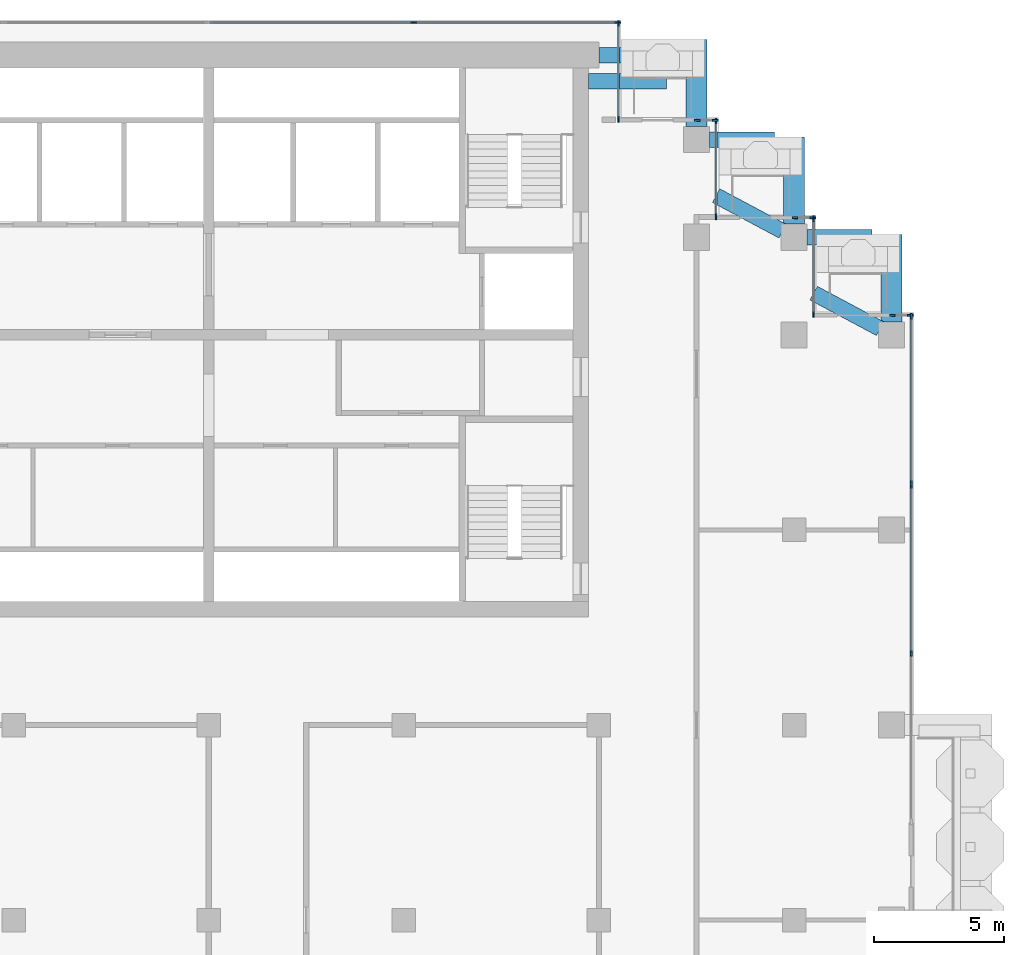
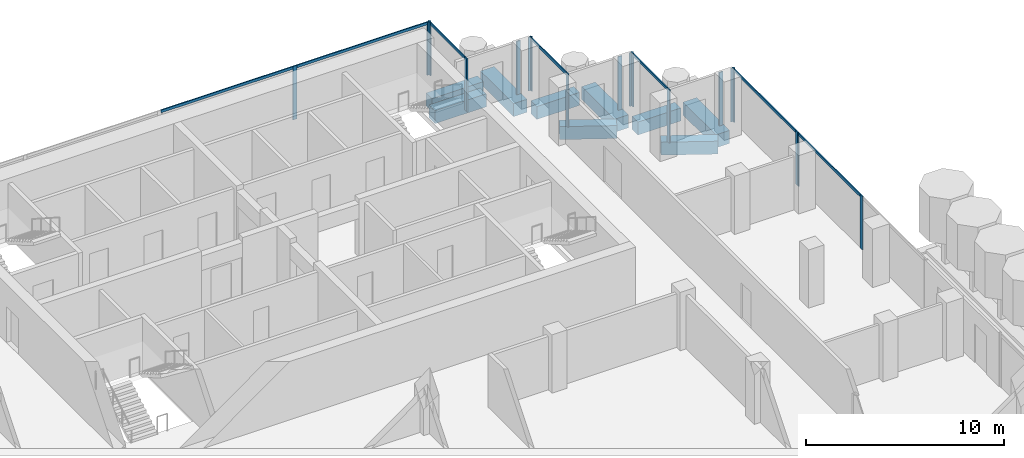
# One storey, part 6 of 17: 25 members, 9 beams, 9 elements without a shape of their own.
"""IFC4 building model written with IfcOpenShell, lengths in metres."""

from ifc_helpers import new_model, si_unit, direction, frame, origin, origin_2d, place, context, subcontext, project, spatial, rectangle, extrude, material, material_profile, profile_set, type_object, element, aggregate, save


model = new_model("IFC4")

# Units and contexts
model_context = context("Model", 3, precision=1e-05, world=origin(), true_north=direction((0.0, 1.0)))
body_context = subcontext(model_context, "Body", "Model", "MODEL_VIEW")
ifc_project = project(units=[si_unit("LENGTHUNIT", "METRE"), si_unit("AREAUNIT", "SQUARE_METRE"), si_unit("VOLUMEUNIT", "CUBIC_METRE"), si_unit("PLANEANGLEUNIT", "RADIAN"), si_unit("MASSUNIT", "GRAM", prefix="KILO")], contexts=[model_context])

# Site, building, storey
site_placement = place(None, origin())
site = spatial("IfcSite", under=ifc_project, at=site_placement, CompositionType="ELEMENT")
building_placement = place(site_placement, origin())
building = spatial("IfcBuilding", under=site, at=building_placement, Name="Pilkhan Gate Tower", CompositionType="ELEMENT")
storey_placement = place(building_placement, frame((0.0, 0.0, 206.699951171875)))
storey = spatial("IfcBuildingStorey", under=building, at=storey_placement, Name="L53", CompositionType="ELEMENT", Elevation=206.699951171875)

# Beams
ifc_material_1 = material(Name="Concrete C50/60", Category="concrete")
ifc_material_profile_1 = material_profile(ifc_material_1, rectangle(XDim=0.60009765625, YDim=0.800048828125, at=origin_2d()), Name="RC 600x800")
ifc_profile_set_1 = profile_set([ifc_material_profile_1], Name="Concrete C50/60")
beam_type_1 = type_object("IfcBeamType", Name="Cantilever beam CB1 RC 600x800 C50/60", PredefinedType="BEAM", material=ifc_profile_set_1)
for number, where, z_axis, x_axis, name in (
    (1, (90.0, 93.25, -0.699951171875), (1.0, 0.0, 0.0), (0.0, 1.0, 0.0), "Balcony beam NE.2 L53"),
    (2, (89.60009765625, 92.25, -0.699951171875), (1.0, 0.0, 0.0), (0.0, 1.0, 0.0), "Balcony beam NE.3 L53"),
):
    element("IfcBeam", number, at=place(storey_placement, frame(where, z_axis=z_axis, x_axis=x_axis)), inside=storey, type_object=beam_type_1, Name=name, PredefinedType="BEAM", context=body_context, shape_type="SweptSolid", body=[
        extrude(rectangle(XDim=0.60009765625, YDim=0.800048828125, at=origin_2d()), origin(), (0.0, 0.0, 1.0), 3.0),
    ])
beam_1_placement = place(storey_placement, frame((94.25, 90.0, -0.699951171875), z_axis=(1.0, 0.0, 0.0), x_axis=(0.0, 1.0, 0.0)))
element("IfcBeam", 3, at=beam_1_placement, inside=storey, type_object=beam_type_1, Name="Balcony beam NE1.2 L53", PredefinedType="BEAM", context=body_context, shape_type="SweptSolid", body=[
    extrude(rectangle(XDim=0.60009765625, YDim=0.800048828125, at=origin_2d()), origin(), (0.0, 0.0, 1.0), 2.5),
])
beam_2_placement = place(storey_placement, frame((97.058837890625, 86.4853515625, -0.699951171875), z_axis=(-0.882348280344, 0.470596974251, 0.0), x_axis=(-0.470596974251, -0.882348280344, 0.0)))
element("IfcBeam", 4, at=beam_2_placement, inside=storey, type_object=beam_type_1, Name="Balcony beam NE1.3 L53", PredefinedType="BEAM", context=body_context, shape_type="SweptSolid", body=[
    extrude(rectangle(XDim=0.60009765625, YDim=0.800048828125, at=origin_2d()), origin(), (0.0, 0.0, 1.0), 2.900146484375),
])
beam_3_placement = place(storey_placement, frame((98.0, 86.25, -0.699951171875), z_axis=(1.0, 0.0, 0.0), x_axis=(0.0, 1.0, 0.0)))
element("IfcBeam", 5, at=beam_3_placement, inside=storey, type_object=beam_type_1, Name="Balcony beam NE2.2 L53", PredefinedType="BEAM", context=body_context, shape_type="SweptSolid", body=[
    extrude(rectangle(XDim=0.60009765625, YDim=0.800048828125, at=origin_2d()), origin(), (0.0, 0.0, 1.0), 2.5),
])
beam_4_placement = place(storey_placement, frame((100.808837890625, 82.7353515625, -0.699951171875), z_axis=(-0.882348280344, 0.470596974251, 0.0), x_axis=(-0.470596974251, -0.882348280344, 0.0)))
element("IfcBeam", 6, at=beam_4_placement, inside=storey, type_object=beam_type_1, Name="Balcony beam NE2.3 L53", PredefinedType="BEAM", context=body_context, shape_type="SweptSolid", body=[
    extrude(rectangle(XDim=0.60009765625, YDim=0.800048828125, at=origin_2d()), origin(), (0.0, 0.0, 1.0), 2.900146484375),
])
ifc_material_profile_2 = material_profile(ifc_material_1, rectangle(XDim=0.800048828125, YDim=0.800048828125, at=origin_2d()), Name="RC 800x800")
ifc_profile_set_2 = profile_set([ifc_material_profile_2], Name="Concrete C50/60")
beam_type_2 = type_object("IfcBeamType", Name="Cantilever beam CB2 RC 800x800 C50/60", PredefinedType="BEAM", material=ifc_profile_set_2)
for number, where, z_axis, x_axis, name in (
    (7, (93.75, 90.5, -0.699951171875), (0.0, 1.0, 0.0), (-1.0, 0.0, 0.0), "Balcony beam NE.1 L53"),
    (8, (97.5, 86.75, -0.699951171875), (0.0, 1.0, 0.0), (-1.0, 0.0, 0.0), "Balcony beam NE1.1 L53"),
    (9, (101.25, 83.0, -0.699951171875), (0.0, 1.0, 0.0), (-1.0, 0.0, 0.0), "Balcony beam NE2.1 L53"),
):
    element("IfcBeam", number, at=place(storey_placement, frame(where, z_axis=z_axis, x_axis=x_axis)), inside=storey, type_object=beam_type_2, Name=name, PredefinedType="BEAM", context=body_context, shape_type="SweptSolid", body=[
        extrude(rectangle(XDim=0.800048828125, YDim=0.800048828125, at=origin_2d()), origin(), (0.0, 0.0, 1.0), 3.35009765625),
    ])

# Curtain wall, members
ifc_material_2 = material(Name="Pale anodised aluminium, clear low-iron double glazing", Category="aluminium")
curtain_wall_type = type_object("IfcCurtainWallType", Name="Office unitised curtain wall CW-O2", PredefinedType="USERDEFINED", material=ifc_material_2)
curtain_wall_1_placement = place(storey_placement, origin())
curtain_wall_1 = element("IfcCurtainWall", 10, at=curtain_wall_1_placement, inside=storey, type_object=curtain_wall_type, Name="Office unitised curtain wall CW-O2 L53 E", ObjectType="UNITISED CURTAIN WALL", PredefinedType="USERDEFINED")
ifc_material_3 = material(Name="Pale anodised aluminium", Category="aluminium")
ifc_material_profile_3 = material_profile(ifc_material_3, rectangle(XDim=0.06494140625, YDim=0.22509765625, at=origin_2d()), Name="Mullion 225x65")
ifc_profile_set_3 = profile_set([ifc_material_profile_3], Name="Pale anodised aluminium")
member_type_1 = type_object("IfcMemberType", Name="Mullion CW-O2 225x65", PredefinedType="MULLION", material=ifc_profile_set_3)
member_1_placement = place(storey_placement, frame((102.0, 70.25, 0.0), z_axis=(0.0, 0.0, 1.0), x_axis=(-1.0, 0.0, 0.0)))
member_1 = element("IfcMember", 11, at=member_1_placement, type_object=member_type_1, Name="CW-O2 mullion 2", PredefinedType="MULLION", context=body_context, shape_type="SweptSolid", body=[
    extrude(rectangle(XDim=0.06494140625, YDim=0.22509765625, at=origin_2d()), origin(), (0.0, 0.0, 1.0), 3.300048828125),
])
member_2_placement = place(storey_placement, frame((102.0, 76.717529296875, 0.0), z_axis=(0.0, 0.0, 1.0), x_axis=(-1.0, 0.0, 0.0)))
member_2 = element("IfcMember", 12, at=member_2_placement, type_object=member_type_1, Name="CW-O2 mullion 3", PredefinedType="MULLION", context=body_context, shape_type="SweptSolid", body=[
    extrude(rectangle(XDim=0.06494140625, YDim=0.22509765625, at=origin_2d()), origin(), (0.0, 0.0, 1.0), 3.300048828125),
])

curtain_wall_2_placement = place(storey_placement, origin())
curtain_wall_2 = element("IfcCurtainWall", 13, at=curtain_wall_2_placement, inside=storey, type_object=curtain_wall_type, Name="Office unitised curtain wall CW-O2 L53 E", ObjectType="UNITISED CURTAIN WALL", PredefinedType="USERDEFINED")
member_3_placement = place(storey_placement, frame((102.0, 76.782470703125, 0.0), z_axis=(0.0, 0.0, 1.0), x_axis=(-1.0, 0.0, 0.0)))
member_3 = element("IfcMember", 14, at=member_3_placement, type_object=member_type_1, Name="CW-O2 mullion 1", PredefinedType="MULLION", context=body_context, shape_type="SweptSolid", body=[
    extrude(rectangle(XDim=0.06494140625, YDim=0.22509765625, at=origin_2d()), origin(), (0.0, 0.0, 1.0), 3.300048828125),
])
member_4_placement = place(storey_placement, frame((102.0, 83.217529296875, 0.0), z_axis=(0.0, 0.0, 1.0), x_axis=(-1.0, 0.0, 0.0)))
member_4 = element("IfcMember", 15, at=member_4_placement, type_object=member_type_1, Name="CW-O2 mullion 2", PredefinedType="MULLION", context=body_context, shape_type="SweptSolid", body=[
    extrude(rectangle(XDim=0.06494140625, YDim=0.22509765625, at=origin_2d()), origin(), (0.0, 0.0, 1.0), 3.300048828125),
])

curtain_wall_3_placement = place(storey_placement, origin())
curtain_wall_3 = element("IfcCurtainWall", 16, at=curtain_wall_3_placement, inside=storey, type_object=curtain_wall_type, Name="Office unitised curtain wall CW-O2 L53 N", ObjectType="UNITISED CURTAIN WALL", PredefinedType="USERDEFINED")
member_5_placement = place(storey_placement, frame((101.282470703125, 83.25, 0.0), z_axis=(0.0, 0.0, 1.0), x_axis=(0.0, 1.0, 0.0)))
member_5 = element("IfcMember", 17, at=member_5_placement, type_object=member_type_1, Name="CW-O2 mullion 1", PredefinedType="MULLION", context=body_context, shape_type="SweptSolid", body=[
    extrude(rectangle(XDim=0.06494140625, YDim=0.22509765625, at=origin_2d()), origin(), (0.0, 0.0, 1.0), 3.300048828125),
])
member_6_placement = place(storey_placement, frame((101.967529296875, 83.25, 0.0), z_axis=(0.0, 0.0, 1.0), x_axis=(0.0, 1.0, 0.0)))
member_6 = element("IfcMember", 18, at=member_6_placement, type_object=member_type_1, Name="CW-O2 mullion 2", PredefinedType="MULLION", context=body_context, shape_type="SweptSolid", body=[
    extrude(rectangle(XDim=0.06494140625, YDim=0.22509765625, at=origin_2d()), origin(), (0.0, 0.0, 1.0), 3.300048828125),
])
aggregate(curtain_wall_3, [member_5, member_6])

curtain_wall_4_placement = place(storey_placement, origin())
curtain_wall_4 = element("IfcCurtainWall", 19, at=curtain_wall_4_placement, inside=storey, type_object=curtain_wall_type, Name="Office unitised curtain wall CW-O2 L53 E", ObjectType="UNITISED CURTAIN WALL", PredefinedType="USERDEFINED")
member_7_placement = place(storey_placement, frame((98.25, 83.282470703125, 0.0), z_axis=(0.0, 0.0, 1.0), x_axis=(-1.0, 0.0, 0.0)))
member_7 = element("IfcMember", 20, at=member_7_placement, type_object=member_type_1, Name="CW-O2 mullion 1", PredefinedType="MULLION", context=body_context, shape_type="SweptSolid", body=[
    extrude(rectangle(XDim=0.06494140625, YDim=0.22509765625, at=origin_2d()), origin(), (0.0, 0.0, 1.0), 3.300048828125),
])
member_8_placement = place(storey_placement, frame((98.25, 86.967529296875, 0.0), z_axis=(0.0, 0.0, 1.0), x_axis=(-1.0, 0.0, 0.0)))
member_8 = element("IfcMember", 21, at=member_8_placement, type_object=member_type_1, Name="CW-O2 mullion 2", PredefinedType="MULLION", context=body_context, shape_type="SweptSolid", body=[
    extrude(rectangle(XDim=0.06494140625, YDim=0.22509765625, at=origin_2d()), origin(), (0.0, 0.0, 1.0), 3.300048828125),
])

curtain_wall_5_placement = place(storey_placement, origin())
curtain_wall_5 = element("IfcCurtainWall", 22, at=curtain_wall_5_placement, inside=storey, type_object=curtain_wall_type, Name="Office unitised curtain wall CW-O2 L53 N", ObjectType="UNITISED CURTAIN WALL", PredefinedType="USERDEFINED")
member_9_placement = place(storey_placement, frame((97.532470703125, 87.0, 0.0), z_axis=(0.0, 0.0, 1.0), x_axis=(0.0, 1.0, 0.0)))
member_9 = element("IfcMember", 23, at=member_9_placement, type_object=member_type_1, Name="CW-O2 mullion 1", PredefinedType="MULLION", context=body_context, shape_type="SweptSolid", body=[
    extrude(rectangle(XDim=0.06494140625, YDim=0.22509765625, at=origin_2d()), origin(), (0.0, 0.0, 1.0), 3.300048828125),
])
member_10_placement = place(storey_placement, frame((98.217529296875, 87.0, 0.0), z_axis=(0.0, 0.0, 1.0), x_axis=(0.0, 1.0, 0.0)))
member_10 = element("IfcMember", 24, at=member_10_placement, type_object=member_type_1, Name="CW-O2 mullion 2", PredefinedType="MULLION", context=body_context, shape_type="SweptSolid", body=[
    extrude(rectangle(XDim=0.06494140625, YDim=0.22509765625, at=origin_2d()), origin(), (0.0, 0.0, 1.0), 3.300048828125),
])
aggregate(curtain_wall_5, [member_9, member_10])

curtain_wall_6_placement = place(storey_placement, origin())
curtain_wall_6 = element("IfcCurtainWall", 25, at=curtain_wall_6_placement, inside=storey, type_object=curtain_wall_type, Name="Office unitised curtain wall CW-O2 L53 E", ObjectType="UNITISED CURTAIN WALL", PredefinedType="USERDEFINED")
member_11_placement = place(storey_placement, frame((94.5, 87.032470703125, 0.0), z_axis=(0.0, 0.0, 1.0), x_axis=(-1.0, 0.0, 0.0)))
member_11 = element("IfcMember", 26, at=member_11_placement, type_object=member_type_1, Name="CW-O2 mullion 1", PredefinedType="MULLION", context=body_context, shape_type="SweptSolid", body=[
    extrude(rectangle(XDim=0.06494140625, YDim=0.22509765625, at=origin_2d()), origin(), (0.0, 0.0, 1.0), 3.300048828125),
])
member_12_placement = place(storey_placement, frame((94.5, 90.717529296875, 0.0), z_axis=(0.0, 0.0, 1.0), x_axis=(-1.0, 0.0, 0.0)))
member_12 = element("IfcMember", 27, at=member_12_placement, type_object=member_type_1, Name="CW-O2 mullion 2", PredefinedType="MULLION", context=body_context, shape_type="SweptSolid", body=[
    extrude(rectangle(XDim=0.06494140625, YDim=0.22509765625, at=origin_2d()), origin(), (0.0, 0.0, 1.0), 3.300048828125),
])

curtain_wall_7_placement = place(storey_placement, origin())
curtain_wall_7 = element("IfcCurtainWall", 28, at=curtain_wall_7_placement, inside=storey, type_object=curtain_wall_type, Name="Office unitised curtain wall CW-O2 L53 N", ObjectType="UNITISED CURTAIN WALL", PredefinedType="USERDEFINED")
member_13_placement = place(storey_placement, frame((93.782470703125, 90.75, 0.0), z_axis=(0.0, 0.0, 1.0), x_axis=(0.0, 1.0, 0.0)))
member_13 = element("IfcMember", 29, at=member_13_placement, type_object=member_type_1, Name="CW-O2 mullion 1", PredefinedType="MULLION", context=body_context, shape_type="SweptSolid", body=[
    extrude(rectangle(XDim=0.06494140625, YDim=0.22509765625, at=origin_2d()), origin(), (0.0, 0.0, 1.0), 3.300048828125),
])
member_14_placement = place(storey_placement, frame((94.467529296875, 90.75, 0.0), z_axis=(0.0, 0.0, 1.0), x_axis=(0.0, 1.0, 0.0)))
member_14 = element("IfcMember", 30, at=member_14_placement, type_object=member_type_1, Name="CW-O2 mullion 2", PredefinedType="MULLION", context=body_context, shape_type="SweptSolid", body=[
    extrude(rectangle(XDim=0.06494140625, YDim=0.22509765625, at=origin_2d()), origin(), (0.0, 0.0, 1.0), 3.300048828125),
])
aggregate(curtain_wall_7, [member_13, member_14])

curtain_wall_8_placement = place(storey_placement, origin())
curtain_wall_8 = element("IfcCurtainWall", 31, at=curtain_wall_8_placement, inside=storey, type_object=curtain_wall_type, Name="Office unitised curtain wall CW-O2 L53 E", ObjectType="UNITISED CURTAIN WALL", PredefinedType="USERDEFINED")
member_15_placement = place(storey_placement, frame((90.75, 90.782470703125, 0.0), z_axis=(0.0, 0.0, 1.0), x_axis=(-1.0, 0.0, 0.0)))
member_15 = element("IfcMember", 32, at=member_15_placement, type_object=member_type_1, Name="CW-O2 mullion 1", PredefinedType="MULLION", context=body_context, shape_type="SweptSolid", body=[
    extrude(rectangle(XDim=0.06494140625, YDim=0.22509765625, at=origin_2d()), origin(), (0.0, 0.0, 1.0), 3.300048828125),
])
member_16_placement = place(storey_placement, frame((90.75, 94.467529296875, 0.0), z_axis=(0.0, 0.0, 1.0), x_axis=(-1.0, 0.0, 0.0)))
member_16 = element("IfcMember", 33, at=member_16_placement, type_object=member_type_1, Name="CW-O2 mullion 2", PredefinedType="MULLION", context=body_context, shape_type="SweptSolid", body=[
    extrude(rectangle(XDim=0.06494140625, YDim=0.22509765625, at=origin_2d()), origin(), (0.0, 0.0, 1.0), 3.300048828125),
])

curtain_wall_9_placement = place(storey_placement, origin())
curtain_wall_9 = element("IfcCurtainWall", 34, at=curtain_wall_9_placement, inside=storey, type_object=curtain_wall_type, Name="Office unitised curtain wall CW-O2 L53 N", ObjectType="UNITISED CURTAIN WALL", PredefinedType="USERDEFINED")
member_17_placement = place(storey_placement, frame((82.875, 94.5, 0.0), z_axis=(0.0, 0.0, 1.0), x_axis=(0.0, 1.0, 0.0)))
member_17 = element("IfcMember", 35, at=member_17_placement, type_object=member_type_1, Name="CW-O2 mullion 2", PredefinedType="MULLION", context=body_context, shape_type="SweptSolid", body=[
    extrude(rectangle(XDim=0.06494140625, YDim=0.22509765625, at=origin_2d()), origin(), (0.0, 0.0, 1.0), 3.300048828125),
])
member_18_placement = place(storey_placement, frame((90.717529296875, 94.5, 0.0), z_axis=(0.0, 0.0, 1.0), x_axis=(0.0, 1.0, 0.0)))
member_18 = element("IfcMember", 36, at=member_18_placement, type_object=member_type_1, Name="CW-O2 mullion 3", PredefinedType="MULLION", context=body_context, shape_type="SweptSolid", body=[
    extrude(rectangle(XDim=0.06494140625, YDim=0.22509765625, at=origin_2d()), origin(), (0.0, 0.0, 1.0), 3.300048828125),
])

# Member
ifc_material_profile_4 = material_profile(ifc_material_3, rectangle(XDim=0.06494140625, YDim=0.1650390625, at=origin_2d()), Name="Transom 165x65")
ifc_profile_set_4 = profile_set([ifc_material_profile_4], Name="Pale anodised aluminium")
member_type_2 = type_object("IfcMemberType", Name="Transom CW-O2 165x65", PredefinedType="USERDEFINED", material=ifc_profile_set_4)
member_19_placement = place(storey_placement, frame((102.0, 70.282470703125, 3.217529296875), z_axis=(0.0, 1.0, 0.0), x_axis=(-1.0, 0.0, 0.0)))
member_19 = element("IfcMember", 37, at=member_19_placement, type_object=member_type_2, Name="CW-O2 transom 2", ObjectType="TRANSOM", PredefinedType="USERDEFINED", context=body_context, shape_type="SweptSolid", body=[
    extrude(rectangle(XDim=0.06494140625, YDim=0.1650390625, at=origin_2d()), origin(), (0.0, 0.0, 1.0), 6.402587890625),
])

aggregate(curtain_wall_1, [member_1, member_2, member_19])

member_20_placement = place(storey_placement, frame((102.0, 76.81494140625, 3.217529296875), z_axis=(0.0, 1.0, 0.0), x_axis=(-1.0, 0.0, 0.0)))
member_20 = element("IfcMember", 38, at=member_20_placement, type_object=member_type_2, Name="CW-O2 transom 1", ObjectType="TRANSOM", PredefinedType="USERDEFINED", context=body_context, shape_type="SweptSolid", body=[
    extrude(rectangle(XDim=0.06494140625, YDim=0.1650390625, at=origin_2d()), origin(), (0.0, 0.0, 1.0), 6.3701171875),
])

aggregate(curtain_wall_2, [member_3, member_4, member_20])

member_21_placement = place(storey_placement, frame((98.25, 83.31494140625, 3.217529296875), z_axis=(0.0, 1.0, 0.0), x_axis=(-1.0, 0.0, 0.0)))
member_21 = element("IfcMember", 39, at=member_21_placement, type_object=member_type_2, Name="CW-O2 transom 1", ObjectType="TRANSOM", PredefinedType="USERDEFINED", context=body_context, shape_type="SweptSolid", body=[
    extrude(rectangle(XDim=0.06494140625, YDim=0.1650390625, at=origin_2d()), origin(), (0.0, 0.0, 1.0), 3.6201171875),
])

aggregate(curtain_wall_4, [member_7, member_8, member_21])

member_22_placement = place(storey_placement, frame((94.5, 87.06494140625, 3.217529296875), z_axis=(0.0, 1.0, 0.0), x_axis=(-1.0, 0.0, 0.0)))
member_22 = element("IfcMember", 40, at=member_22_placement, type_object=member_type_2, Name="CW-O2 transom 1", ObjectType="TRANSOM", PredefinedType="USERDEFINED", context=body_context, shape_type="SweptSolid", body=[
    extrude(rectangle(XDim=0.06494140625, YDim=0.1650390625, at=origin_2d()), origin(), (0.0, 0.0, 1.0), 3.6201171875),
])

aggregate(curtain_wall_6, [member_11, member_12, member_22])

member_23_placement = place(storey_placement, frame((90.75, 90.81494140625, 3.217529296875), z_axis=(0.0, 1.0, 0.0), x_axis=(-1.0, 0.0, 0.0)))
member_23 = element("IfcMember", 41, at=member_23_placement, type_object=member_type_2, Name="CW-O2 transom 1", ObjectType="TRANSOM", PredefinedType="USERDEFINED", context=body_context, shape_type="SweptSolid", body=[
    extrude(rectangle(XDim=0.06494140625, YDim=0.1650390625, at=origin_2d()), origin(), (0.0, 0.0, 1.0), 3.6201171875),
])

aggregate(curtain_wall_8, [member_15, member_16, member_23])

member_24_placement = place(storey_placement, frame((75.06494140625, 94.5, 3.217529296875), z_axis=(1.0, 0.0, 0.0), x_axis=(0.0, 1.0, 0.0)))
member_24 = element("IfcMember", 42, at=member_24_placement, type_object=member_type_2, Name="CW-O2 transom 1", ObjectType="TRANSOM", PredefinedType="USERDEFINED", context=body_context, shape_type="SweptSolid", body=[
    extrude(rectangle(XDim=0.06494140625, YDim=0.1650390625, at=origin_2d()), origin(), (0.0, 0.0, 1.0), 7.777587890625),
])

member_25_placement = place(storey_placement, frame((82.907470703125, 94.5, 3.217529296875), z_axis=(1.0, 0.0, 0.0), x_axis=(0.0, 1.0, 0.0)))
member_25 = element("IfcMember", 43, at=member_25_placement, type_object=member_type_2, Name="CW-O2 transom 2", ObjectType="TRANSOM", PredefinedType="USERDEFINED", context=body_context, shape_type="SweptSolid", body=[
    extrude(rectangle(XDim=0.06494140625, YDim=0.1650390625, at=origin_2d()), origin(), (0.0, 0.0, 1.0), 7.777587890625),
])

aggregate(curtain_wall_9, [member_17, member_18, member_24, member_25])

save(model, "model.ifc")
